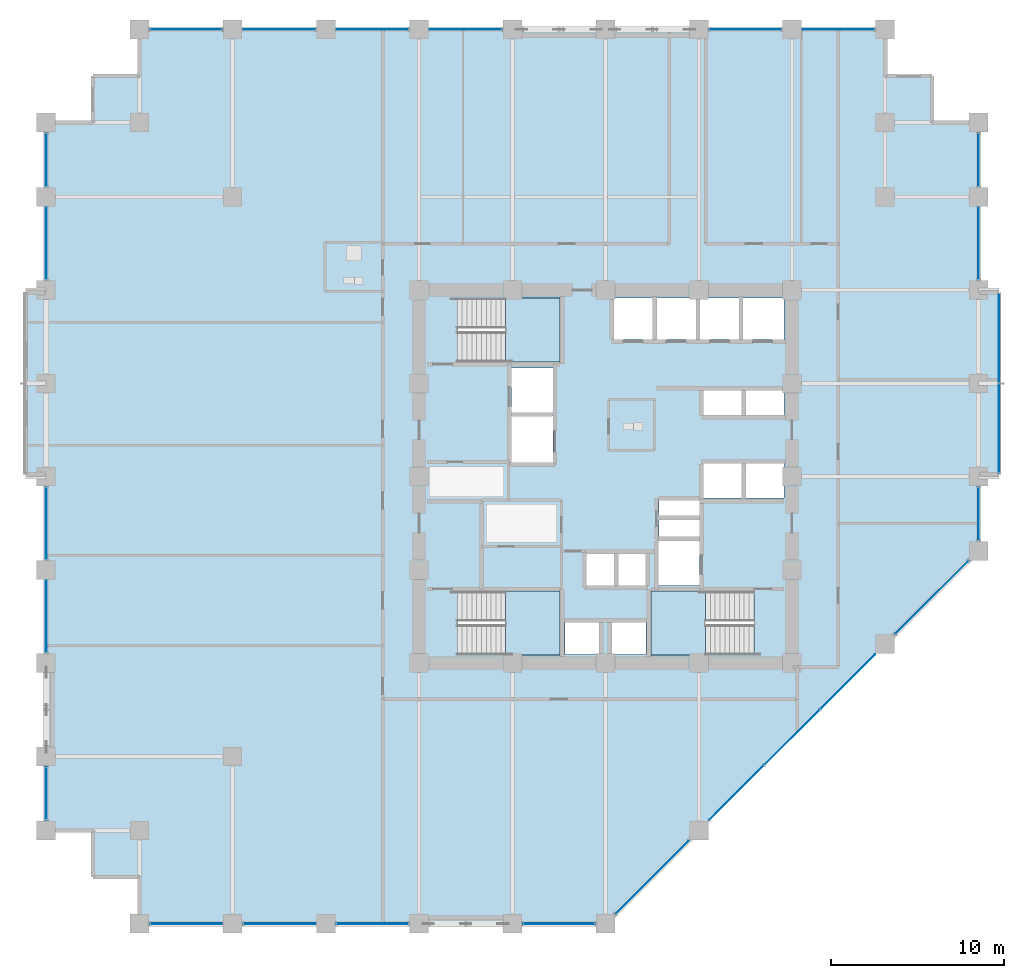
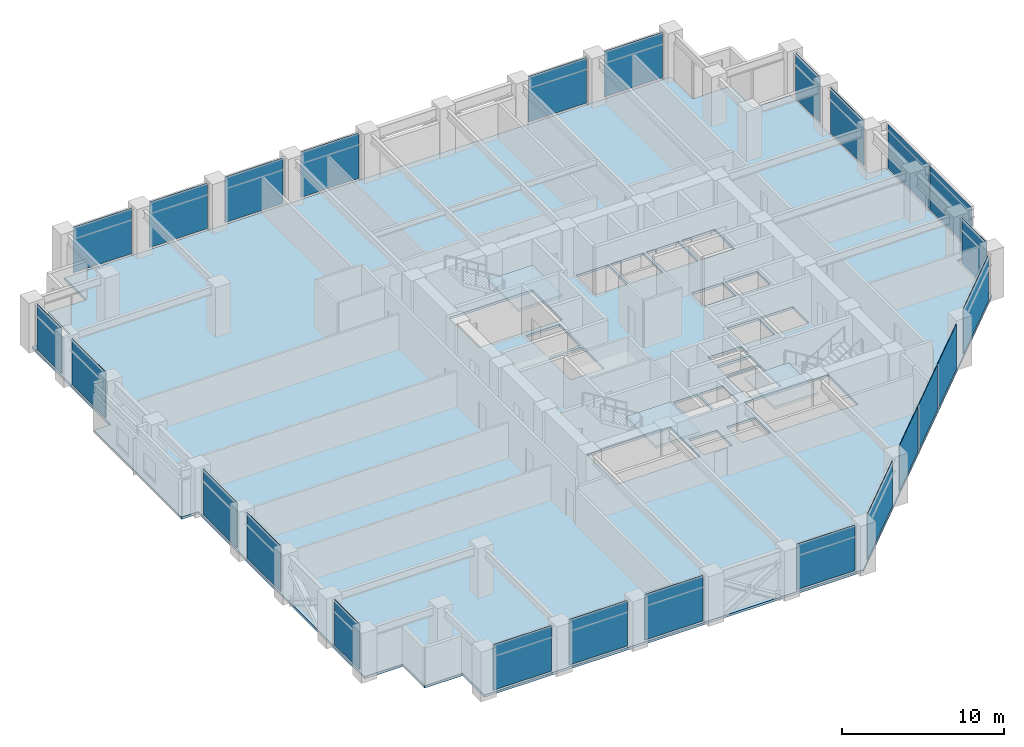
# One storey, part 19 of 26: 25 plates, 4 slabs, 14 elements without a shape of their own.
"""IFC4 building model written with IfcOpenShell, lengths in metres."""

from ifc_helpers import new_model, si_unit, direction, frame, frame_2d, origin, place, context, subcontext, project, spatial, polyline, rectangle, outline, extrude, material, layer, layer_set, type_object, element, aggregate, save


model = new_model("IFC4")

# Units and contexts
model_context = context("Model", 3, precision=1e-05, world=origin(), true_north=direction((0.0, 1.0)))
body_context = subcontext(model_context, "Body", "Model", "MODEL_VIEW")
ifc_project = project(units=[si_unit("LENGTHUNIT", "METRE"), si_unit("AREAUNIT", "SQUARE_METRE"), si_unit("VOLUMEUNIT", "CUBIC_METRE"), si_unit("PLANEANGLEUNIT", "RADIAN"), si_unit("MASSUNIT", "GRAM", prefix="KILO")], contexts=[model_context])

# Site, building, storey
site_placement = place(None, origin())
site = spatial("IfcSite", under=ifc_project, at=site_placement, CompositionType="ELEMENT")
building_placement = place(site_placement, origin())
building = spatial("IfcBuilding", under=site, at=building_placement, Name="Surkhivell Harbour Commons", CompositionType="ELEMENT")
storey_placement = place(building_placement, frame((0.0, 0.0, 102.0)))
storey = spatial("IfcBuildingStorey", under=building, at=storey_placement, Name="L26", CompositionType="ELEMENT", Elevation=102.0)

# Curtain wall, plates
ifc_material_1 = material(Name="Anodised pale-metal aluminium and insulated glazing", Category="aluminium")
ifc_layer_1 = layer(ifc_material_1, 0.1650390625)
ifc_layer_set_1 = layer_set([ifc_layer_1], Name="Anodised pale-metal aluminium and insulated glazing")
curtain_wall_type_1 = type_object("IfcCurtainWallType", Name="CW-SYS-BOX", PredefinedType="NOTDEFINED", material=ifc_layer_set_1)
curtain_wall_1_placement = place(storey_placement, origin())
curtain_wall_1 = element("IfcCurtainWall", 1, at=curtain_wall_1_placement, inside=storey, type_object=curtain_wall_type_1, Name="L26 Curtain Wall CW-L26-BOX01", PredefinedType="NOTDEFINED")
ifc_material_2 = material(Name="Triple-glazed bay-cluster vision glass", Category="glass")
ifc_layer_2 = layer(ifc_material_2, 0.028076171875)
ifc_layer_set_2 = layer_set([ifc_layer_2], Name="Triple-glazed bay-cluster vision glass")
plate_type_1 = type_object("IfcPlateType", Name="CWP-GLZ-28", PredefinedType="CURTAIN_PANEL", material=ifc_layer_set_2)
plate_1_placement = place(storey_placement, frame((22.800048828125, 0.219970703125, 0.1298828125), z_axis=(0.0, 0.0, 1.0), x_axis=(0.0, 1.0, 0.0)))
plate_1 = element("IfcPlate", 2, at=plate_1_placement, type_object=plate_type_1, Name="CW-BOX panel 1.1", PredefinedType="CURTAIN_PANEL", context=body_context, shape_type="SweptSolid", body=[
    extrude(rectangle(XDim=5.14501953125, YDim=0.028076171875, at=frame_2d((2.572509765625, 0.0))), origin(), (0.0, 0.0, 1.0), 3.31005859375),
])
plate_2_placement = place(storey_placement, frame((22.800048828125, 5.43505859375, 0.1298828125), z_axis=(0.0, 0.0, 1.0), x_axis=(0.0, 1.0, 0.0)))
plate_2 = element("IfcPlate", 3, at=plate_2_placement, type_object=plate_type_1, Name="CW-BOX panel 2.1", PredefinedType="CURTAIN_PANEL", context=body_context, shape_type="SweptSolid", body=[
    extrude(rectangle(XDim=5.14501953125, YDim=0.028076171875, at=frame_2d((2.572509765625, 0.0))), origin(), (0.0, 0.0, 1.0), 3.31005859375),
])
aggregate(curtain_wall_1, [plate_1, plate_2])

ifc_layer_3 = layer(ifc_material_1, 0.205078125)
ifc_layer_set_3 = layer_set([ifc_layer_3], Name="Anodised pale-metal aluminium and insulated glazing")
curtain_wall_type_2 = type_object("IfcCurtainWallType", Name="CW-SYS-Z2", PredefinedType="NOTDEFINED", material=ifc_layer_set_3)
curtain_wall_2_placement = place(storey_placement, origin())
curtain_wall_2 = element("IfcCurtainWall", 4, at=curtain_wall_2_placement, inside=storey, type_object=curtain_wall_type_2, Name="L26 Curtain Wall CW-L26-E00S1", PredefinedType="NOTDEFINED")
ifc_material_3 = material(Name="High-pressure typhoon laminated vision glass", Category="glass")
ifc_layer_4 = layer(ifc_material_3, 0.035888671875)
ifc_layer_set_4 = layer_set([ifc_layer_4], Name="High-pressure typhoon laminated vision glass")
plate_type_2 = type_object("IfcPlateType", Name="CWP-GLZ-36", PredefinedType="CURTAIN_PANEL", material=ifc_layer_set_4)
plate_3_placement = place(storey_placement, frame((-26.373046875, -25.89990234375, 0.14990234375), z_axis=(0.0, 0.0, 1.0), x_axis=(1.0, 0.0, 0.0)))
plate_3 = element("IfcPlate", 5, at=plate_3_placement, type_object=plate_type_2, Name="CW-Z2 panel 1.1", PredefinedType="CURTAIN_PANEL", context=body_context, shape_type="SweptSolid", body=[
    extrude(rectangle(XDim=4.14599609375, YDim=0.035888671875, at=frame_2d((2.072998046875, 0.0))), origin(), (0.0, 0.0, 1.0), 3.420166015625),
])
plate_4_placement = place(storey_placement, frame((-20.972900390625, -25.89990234375, 0.14990234375), z_axis=(0.0, 0.0, 1.0), x_axis=(1.0, 0.0, 0.0)))
plate_4 = element("IfcPlate", 6, at=plate_4_placement, type_object=plate_type_2, Name="CW-Z2 panel 2.1", PredefinedType="CURTAIN_PANEL", context=body_context, shape_type="SweptSolid", body=[
    extrude(rectangle(XDim=4.14599609375, YDim=0.035888671875, at=frame_2d((2.072998046875, 0.0))), origin(), (0.0, 0.0, 1.0), 3.420166015625),
])
plate_5_placement = place(storey_placement, frame((-15.572998046875, -25.89990234375, 0.14990234375), z_axis=(0.0, 0.0, 1.0), x_axis=(1.0, 0.0, 0.0)))
plate_5 = element("IfcPlate", 7, at=plate_5_placement, type_object=plate_type_2, Name="CW-Z2 panel 3.1", PredefinedType="CURTAIN_PANEL", context=body_context, shape_type="SweptSolid", body=[
    extrude(rectangle(XDim=4.14599609375, YDim=0.035888671875, at=frame_2d((2.072998046875, 0.0))), origin(), (0.0, 0.0, 1.0), 3.420166015625),
])
aggregate(curtain_wall_2, [plate_3, plate_4, plate_5])

# Curtain wall, plate
curtain_wall_3_placement = place(storey_placement, origin())
curtain_wall_3 = element("IfcCurtainWall", 8, at=curtain_wall_3_placement, inside=storey, type_object=curtain_wall_type_2, Name="L26 Curtain Wall CW-L26-E00S2", PredefinedType="NOTDEFINED")
plate_6_placement = place(storey_placement, frame((-4.77294921875, -25.89990234375, 0.14990234375), z_axis=(0.0, 0.0, 1.0), x_axis=(1.0, 0.0, 0.0)))
plate_6 = element("IfcPlate", 9, at=plate_6_placement, type_object=plate_type_2, Name="CW-Z2 panel 1.1", PredefinedType="CURTAIN_PANEL", context=body_context, shape_type="SweptSolid", body=[
    extrude(rectangle(XDim=4.14599609375, YDim=0.035888671875, at=frame_2d((2.072998046875, 0.0))), origin(), (0.0, 0.0, 1.0), 3.420166015625),
])
aggregate(curtain_wall_3, [plate_6])

# Curtain wall, plates
curtain_wall_4_placement = place(storey_placement, origin())
curtain_wall_4 = element("IfcCurtainWall", 10, at=curtain_wall_4_placement, inside=storey, type_object=curtain_wall_type_2, Name="L26 Curtain Wall CW-L26-E01", PredefinedType="NOTDEFINED")
plate_7_placement = place(storey_placement, frame((0.604736328125, -25.295166015625, 0.14990234375), z_axis=(0.0, 0.0, 1.0), x_axis=(0.707106781187, 0.707106781187, 0.0)))
plate_7 = element("IfcPlate", 11, at=plate_7_placement, type_object=plate_type_2, Name="CW-Z2 panel 1.1", PredefinedType="CURTAIN_PANEL", context=body_context, shape_type="SweptSolid", body=[
    extrude(rectangle(XDim=5.92626953125, YDim=0.035888671875, at=frame_2d((2.963134765625, 0.0))), origin(), (0.0, 0.0, 1.0), 3.420166015625),
])
plate_8_placement = place(storey_placement, frame((6.004638671875, -19.895263671875, 0.14990234375), z_axis=(0.0, 0.0, 1.0), x_axis=(0.707134159244, 0.707079402069, 0.0)))
plate_8 = element("IfcPlate", 12, at=plate_8_placement, type_object=plate_type_2, Name="CW-Z2 panel 2.1", PredefinedType="CURTAIN_PANEL", context=body_context, shape_type="SweptSolid", body=[
    extrude(rectangle(XDim=4.45849609375, YDim=0.035888671875, at=frame_2d((2.229248046875, 0.0))), origin(), (0.0, 0.0, 1.0), 3.420166015625),
])
plate_9_placement = place(storey_placement, frame((9.21044921875, -16.689697265625, 0.14990234375), z_axis=(0.0, 0.0, 1.0), x_axis=(0.707106781187, 0.707106781187, 0.0)))
plate_9 = element("IfcPlate", 13, at=plate_9_placement, type_object=plate_type_2, Name="CW-Z2 panel 3.1", PredefinedType="CURTAIN_PANEL", context=body_context, shape_type="SweptSolid", body=[
    extrude(rectangle(XDim=4.49609375, YDim=0.035888671875, at=frame_2d((2.248046875, 0.0))), origin(), (0.0, 0.0, 1.0), 3.420166015625),
])
plate_10_placement = place(storey_placement, frame((12.442626953125, -13.457275390625, 0.14990234375), z_axis=(0.0, 0.0, 1.0), x_axis=(0.707106781187, 0.707106781187, 0.0)))
plate_10 = element("IfcPlate", 14, at=plate_10_placement, type_object=plate_type_2, Name="CW-Z2 panel 4.1", PredefinedType="CURTAIN_PANEL", context=body_context, shape_type="SweptSolid", body=[
    extrude(rectangle(XDim=4.45849609375, YDim=0.035888671875, at=frame_2d((2.229248046875, 0.0))), origin(), (0.0, 0.0, 1.0), 3.420166015625),
])
plate_11_placement = place(storey_placement, frame((16.8046875, -9.09521484375, 0.14990234375), z_axis=(0.0, 0.0, 1.0), x_axis=(0.707127378829, 0.707086182944, 0.0)))
plate_11 = element("IfcPlate", 15, at=plate_11_placement, type_object=plate_type_2, Name="CW-Z2 panel 5.1", PredefinedType="CURTAIN_PANEL", context=body_context, shape_type="SweptSolid", body=[
    extrude(rectangle(XDim=5.92626953125, YDim=0.035888671875, at=frame_2d((2.963134765625, 0.0))), origin(), (0.0, 0.0, 1.0), 3.420166015625),
])
aggregate(curtain_wall_4, [plate_7, plate_8, plate_9, plate_10, plate_11])

# Curtain wall, plate
curtain_wall_5_placement = place(storey_placement, origin())
curtain_wall_5 = element("IfcCurtainWall", 16, at=curtain_wall_5_placement, inside=storey, type_object=curtain_wall_type_2, Name="L26 Curtain Wall CW-L26-E02R1", PredefinedType="NOTDEFINED")
plate_12_placement = place(storey_placement, frame((21.60009765625, -3.673095703125, 0.14990234375), z_axis=(0.0, 0.0, 1.0), x_axis=(0.0, 1.0, 0.0)))
plate_12 = element("IfcPlate", 17, at=plate_12_placement, type_object=plate_type_2, Name="CW-Z2 panel 1.1", PredefinedType="CURTAIN_PANEL", context=body_context, shape_type="SweptSolid", body=[
    extrude(rectangle(XDim=3.046142578125, YDim=0.035888671875, at=frame_2d((1.52294921875, 0.0))), origin(), (0.0, 0.0, 1.0), 3.420166015625),
])
aggregate(curtain_wall_5, [plate_12])

# Curtain wall, plates
curtain_wall_6_placement = place(storey_placement, origin())
curtain_wall_6 = element("IfcCurtainWall", 18, at=curtain_wall_6_placement, inside=storey, type_object=curtain_wall_type_2, Name="L26 Curtain Wall CW-L26-E02R2", PredefinedType="NOTDEFINED")
plate_13_placement = place(storey_placement, frame((21.60009765625, 11.427001953125, 0.14990234375), z_axis=(0.0, 0.0, 1.0), x_axis=(0.0, 1.0, 0.0)))
plate_13 = element("IfcPlate", 19, at=plate_13_placement, type_object=plate_type_2, Name="CW-Z2 panel 1.1", PredefinedType="CURTAIN_PANEL", context=body_context, shape_type="SweptSolid", body=[
    extrude(rectangle(XDim=4.14599609375, YDim=0.035888671875, at=frame_2d((2.072998046875, 0.0))), origin(), (0.0, 0.0, 1.0), 3.420166015625),
])
plate_14_placement = place(storey_placement, frame((21.60009765625, 16.826904296875, 0.14990234375), z_axis=(0.0, 0.0, 1.0), x_axis=(0.0, 1.0, 0.0)))
plate_14 = element("IfcPlate", 20, at=plate_14_placement, type_object=plate_type_2, Name="CW-Z2 panel 2.1", PredefinedType="CURTAIN_PANEL", context=body_context, shape_type="SweptSolid", body=[
    extrude(rectangle(XDim=3.046142578125, YDim=0.035888671875, at=frame_2d((1.52294921875, 0.0))), origin(), (0.0, 0.0, 1.0), 3.420166015625),
])
aggregate(curtain_wall_6, [plate_13, plate_14])

curtain_wall_7_placement = place(storey_placement, origin())
curtain_wall_7 = element("IfcCurtainWall", 21, at=curtain_wall_7_placement, inside=storey, type_object=curtain_wall_type_2, Name="L26 Curtain Wall CW-L26-E07S1", PredefinedType="NOTDEFINED")
plate_15_placement = place(storey_placement, frame((15.572998046875, 25.89990234375, 0.14990234375), z_axis=(0.0, 0.0, 1.0), x_axis=(-1.0, 0.0, 0.0)))
plate_15 = element("IfcPlate", 22, at=plate_15_placement, type_object=plate_type_2, Name="CW-Z2 panel 1.1", PredefinedType="CURTAIN_PANEL", context=body_context, shape_type="SweptSolid", body=[
    extrude(rectangle(XDim=4.14599609375, YDim=0.035888671875, at=frame_2d((2.072998046875, 0.0))), origin(), (0.0, 0.0, 1.0), 3.420166015625),
])
plate_16_placement = place(storey_placement, frame((10.173095703125, 25.89990234375, 0.14990234375), z_axis=(0.0, 0.0, 1.0), x_axis=(-1.0, 0.0, 0.0)))
plate_16 = element("IfcPlate", 23, at=plate_16_placement, type_object=plate_type_2, Name="CW-Z2 panel 2.1", PredefinedType="CURTAIN_PANEL", context=body_context, shape_type="SweptSolid", body=[
    extrude(rectangle(XDim=4.14599609375, YDim=0.035888671875, at=frame_2d((2.072998046875, 0.0))), origin(), (0.0, 0.0, 1.0), 3.420166015625),
])
aggregate(curtain_wall_7, [plate_15, plate_16])

curtain_wall_8_placement = place(storey_placement, origin())
curtain_wall_8 = element("IfcCurtainWall", 24, at=curtain_wall_8_placement, inside=storey, type_object=curtain_wall_type_2, Name="L26 Curtain Wall CW-L26-E07S2", PredefinedType="NOTDEFINED")
plate_17_placement = place(storey_placement, frame((-6.027099609375, 25.89990234375, 0.14990234375), z_axis=(0.0, 0.0, 1.0), x_axis=(-1.0, 0.0, 0.0)))
plate_17 = element("IfcPlate", 25, at=plate_17_placement, type_object=plate_type_2, Name="CW-Z2 panel 1.1", PredefinedType="CURTAIN_PANEL", context=body_context, shape_type="SweptSolid", body=[
    extrude(rectangle(XDim=4.14599609375, YDim=0.035888671875, at=frame_2d((2.072998046875, 0.0))), origin(), (0.0, 0.0, 1.0), 3.420166015625),
])
plate_18_placement = place(storey_placement, frame((-11.427001953125, 25.89990234375, 0.14990234375), z_axis=(0.0, 0.0, 1.0), x_axis=(-1.0, 0.0, 0.0)))
plate_18 = element("IfcPlate", 26, at=plate_18_placement, type_object=plate_type_2, Name="CW-Z2 panel 2.1", PredefinedType="CURTAIN_PANEL", context=body_context, shape_type="SweptSolid", body=[
    extrude(rectangle(XDim=4.14599609375, YDim=0.035888671875, at=frame_2d((2.072998046875, 0.0))), origin(), (0.0, 0.0, 1.0), 3.420166015625),
])
plate_19_placement = place(storey_placement, frame((-16.826904296875, 25.89990234375, 0.14990234375), z_axis=(0.0, 0.0, 1.0), x_axis=(-1.0, 0.0, 0.0)))
plate_19 = element("IfcPlate", 27, at=plate_19_placement, type_object=plate_type_2, Name="CW-Z2 panel 3.1", PredefinedType="CURTAIN_PANEL", context=body_context, shape_type="SweptSolid", body=[
    extrude(rectangle(XDim=4.14599609375, YDim=0.035888671875, at=frame_2d((2.072998046875, 0.0))), origin(), (0.0, 0.0, 1.0), 3.420166015625),
])
plate_20_placement = place(storey_placement, frame((-22.22705078125, 25.89990234375, 0.14990234375), z_axis=(0.0, 0.0, 1.0), x_axis=(-1.0, 0.0, 0.0)))
plate_20 = element("IfcPlate", 28, at=plate_20_placement, type_object=plate_type_2, Name="CW-Z2 panel 4.1", PredefinedType="CURTAIN_PANEL", context=body_context, shape_type="SweptSolid", body=[
    extrude(rectangle(XDim=4.14599609375, YDim=0.035888671875, at=frame_2d((2.072998046875, 0.0))), origin(), (0.0, 0.0, 1.0), 3.420166015625),
])
aggregate(curtain_wall_8, [plate_17, plate_18, plate_19, plate_20])

# Curtain wall, plate
curtain_wall_9_placement = place(storey_placement, origin())
curtain_wall_9 = element("IfcCurtainWall", 29, at=curtain_wall_9_placement, inside=storey, type_object=curtain_wall_type_2, Name="L26 Curtain Wall CW-L26-E12R1S1", PredefinedType="NOTDEFINED")
plate_21_placement = place(storey_placement, frame((-32.39990234375, -19.873046875, 0.14990234375), z_axis=(0.0, 0.0, 1.0), x_axis=(0.0, 1.0, 0.0)))
plate_21 = element("IfcPlate", 30, at=plate_21_placement, type_object=plate_type_2, Name="CW-Z2 panel 1.1", PredefinedType="CURTAIN_PANEL", context=body_context, shape_type="SweptSolid", body=[
    extrude(rectangle(XDim=3.046142578125, YDim=0.035888671875, at=frame_2d((1.52294921875, 0.0))), origin(), (0.0, 0.0, 1.0), 3.420166015625),
])
aggregate(curtain_wall_9, [plate_21])

# Curtain wall, plates
curtain_wall_10_placement = place(storey_placement, origin())
curtain_wall_10 = element("IfcCurtainWall", 31, at=curtain_wall_10_placement, inside=storey, type_object=curtain_wall_type_2, Name="L26 Curtain Wall CW-L26-E12R1S2", PredefinedType="NOTDEFINED")
plate_22_placement = place(storey_placement, frame((-32.39990234375, -10.173095703125, 0.14990234375), z_axis=(0.0, 0.0, 1.0), x_axis=(0.0, 1.0, 0.0)))
plate_22 = element("IfcPlate", 32, at=plate_22_placement, type_object=plate_type_2, Name="CW-Z2 panel 1.1", PredefinedType="CURTAIN_PANEL", context=body_context, shape_type="SweptSolid", body=[
    extrude(rectangle(XDim=4.14599609375, YDim=0.035888671875, at=frame_2d((2.072998046875, 0.0))), origin(), (0.0, 0.0, 1.0), 3.420166015625),
])
plate_23_placement = place(storey_placement, frame((-32.39990234375, -4.77294921875, 0.14990234375), z_axis=(0.0, 0.0, 1.0), x_axis=(0.0, 1.0, 0.0)))
plate_23 = element("IfcPlate", 33, at=plate_23_placement, type_object=plate_type_2, Name="CW-Z2 panel 2.1", PredefinedType="CURTAIN_PANEL", context=body_context, shape_type="SweptSolid", body=[
    extrude(rectangle(XDim=4.14599609375, YDim=0.035888671875, at=frame_2d((2.072998046875, 0.0))), origin(), (0.0, 0.0, 1.0), 3.420166015625),
])
aggregate(curtain_wall_10, [plate_22, plate_23])

curtain_wall_11_placement = place(storey_placement, origin())
curtain_wall_11 = element("IfcCurtainWall", 34, at=curtain_wall_11_placement, inside=storey, type_object=curtain_wall_type_2, Name="L26 Curtain Wall CW-L26-E12R2", PredefinedType="NOTDEFINED")
plate_24_placement = place(storey_placement, frame((-32.39990234375, 11.427001953125, 0.14990234375), z_axis=(0.0, 0.0, 1.0), x_axis=(0.0, 1.0, 0.0)))
plate_24 = element("IfcPlate", 35, at=plate_24_placement, type_object=plate_type_2, Name="CW-Z2 panel 1.1", PredefinedType="CURTAIN_PANEL", context=body_context, shape_type="SweptSolid", body=[
    extrude(rectangle(XDim=4.14599609375, YDim=0.035888671875, at=frame_2d((2.072998046875, 0.0))), origin(), (0.0, 0.0, 1.0), 3.420166015625),
])
plate_25_placement = place(storey_placement, frame((-32.39990234375, 16.826904296875, 0.14990234375), z_axis=(0.0, 0.0, 1.0), x_axis=(0.0, 1.0, 0.0)))
plate_25 = element("IfcPlate", 36, at=plate_25_placement, type_object=plate_type_2, Name="CW-Z2 panel 2.1", PredefinedType="CURTAIN_PANEL", context=body_context, shape_type="SweptSolid", body=[
    extrude(rectangle(XDim=3.046142578125, YDim=0.035888671875, at=frame_2d((1.52294921875, 0.0))), origin(), (0.0, 0.0, 1.0), 3.420166015625),
])
aggregate(curtain_wall_11, [plate_24, plate_25])

# Stair, slab
ifc_material_4 = material(Name="Precast concrete C45/55", Category="concrete")
stair_type = type_object("IfcStairType", Name="STR-DL-375", PredefinedType="HALF_TURN_STAIR", material=ifc_material_4)
stair_1_placement = place(storey_placement, origin())
stair_1 = element("IfcStair", 37, at=stair_1_placement, inside=storey, type_object=stair_type, Name="L26 Core Exit Stair ST1", PredefinedType="HALF_TURN_STAIR")
ifc_material_5 = material(Name="Reinforced concrete C45/55", Category="concrete")
ifc_layer_5 = layer(ifc_material_5, 0.199951171875)
ifc_layer_set_5 = layer_set([ifc_layer_5], Name="Reinforced concrete C45/55")
slab_type_1 = type_object("IfcSlabType", Name="SLB-ST-LND200", PredefinedType="LANDING", material=ifc_layer_set_5)
slab_1_placement = place(storey_placement, frame((0.0, 0.0, 1.675048828125)))
slab_1 = element("IfcSlab", 38, at=slab_1_placement, type_object=slab_type_1, Name="ST1 landing 1", PredefinedType="LANDING", context=body_context, shape_type="SweptSolid", body=[
    extrude(outline(polyline([(-5.7900390625, 6.639892578125), (-2.639892578125, 6.639892578125), (-2.639892578125, 10.340087890625), (-5.7900390625, 10.340087890625), (-5.7900390625, 6.639892578125)])), origin(), (0.0, 0.0, 1.0), 0.199951171875),
])
aggregate(stair_1, [slab_1])

stair_2_placement = place(storey_placement, origin())
stair_2 = element("IfcStair", 39, at=stair_2_placement, inside=storey, type_object=stair_type, Name="L26 Core Exit Stair ST2", PredefinedType="HALF_TURN_STAIR")
slab_2_placement = place(storey_placement, frame((0.0, 0.0, 1.675048828125)))
slab_2 = element("IfcSlab", 40, at=slab_2_placement, type_object=slab_type_1, Name="ST2 landing 1", PredefinedType="LANDING", context=body_context, shape_type="SweptSolid", body=[
    extrude(outline(polyline([(5.7900390625, -6.639892578125), (2.639892578125, -6.639892578125), (2.639892578125, -10.340087890625), (5.7900390625, -10.340087890625), (5.7900390625, -6.639892578125)])), origin(), (0.0, 0.0, 1.0), 0.199951171875),
])
aggregate(stair_2, [slab_2])

stair_3_placement = place(storey_placement, origin())
stair_3 = element("IfcStair", 41, at=stair_3_placement, inside=storey, type_object=stair_type, Name="L26 Core Exit Stair ST3", PredefinedType="HALF_TURN_STAIR")
slab_3_placement = place(storey_placement, frame((0.0, 0.0, 1.675048828125)))
slab_3 = element("IfcSlab", 42, at=slab_3_placement, type_object=slab_type_1, Name="ST3 landing 1", PredefinedType="LANDING", context=body_context, shape_type="SweptSolid", body=[
    extrude(outline(polyline([(-5.7900390625, -10.340087890625), (-2.639892578125, -10.340087890625), (-2.639892578125, -6.639892578125), (-5.7900390625, -6.639892578125), (-5.7900390625, -10.340087890625)])), origin(), (0.0, 0.0, 1.0), 0.199951171875),
])
aggregate(stair_3, [slab_3])

# Slab
ifc_material_6 = material(Name="Concrete C45/55", Category="concrete")
ifc_layer_6 = layer(ifc_material_6, 0.179931640625)
ifc_layer_set_6 = layer_set([ifc_layer_6], Name="Concrete C45/55")
slab_type_2 = type_object("IfcSlabType", Name="SLB-TYP-180", PredefinedType="FLOOR", material=ifc_layer_set_6)
slab_4_placement = place(storey_placement, frame((0.0, 0.0, -0.179931640625)))
element("IfcSlab", 43, at=slab_4_placement, inside=storey, type_object=slab_type_2, Name="L26 Structural Floor Slab", PredefinedType="FLOOR", context=body_context, shape_type="SweptSolid", body=[
    extrude(outline(polyline([(-32.39990234375, 20.5), (-32.39990234375, 10.800048828125), (-33.60009765625, 10.800048828125), (-33.60009765625, 0.0), (-32.39990234375, 0.0), (-32.39990234375, -20.5), (-29.699951171875, -20.5), (-29.699951171875, -23.199951171875), (-27.0, -23.199951171875), (-27.0, -25.89990234375), (0.0, -25.89990234375), (21.60009765625, -4.300048828125), (21.60009765625, 0.0), (22.800048828125, 0.0), (22.800048828125, 10.800048828125), (21.60009765625, 10.800048828125), (21.60009765625, 20.5), (18.89990234375, 20.5), (18.89990234375, 23.199951171875), (16.199951171875, 23.199951171875), (16.199951171875, 25.89990234375), (-27.0, 25.89990234375), (-27.0, 23.199951171875), (-29.699951171875, 23.199951171875), (-29.699951171875, 20.5), (-32.39990234375, 20.5)]), holes=[polyline([(-8.590087890625, 6.639892578125), (-2.639892578125, 6.639892578125), (-2.639892578125, 10.340087890625), (-8.590087890625, 10.340087890625), (-8.590087890625, 6.639892578125)]), polyline([(8.590087890625, -6.639892578125), (2.639892578125, -6.639892578125), (2.639892578125, -10.340087890625), (8.590087890625, -10.340087890625), (8.590087890625, -6.639892578125)]), polyline([(-8.590087890625, -10.340087890625), (-2.639892578125, -10.340087890625), (-2.639892578125, -6.639892578125), (-8.590087890625, -6.639892578125), (-8.590087890625, -10.340087890625)]), polyline([(0.449951171875, 7.949951171875), (2.75, 7.949951171875), (2.75, 10.35009765625), (0.449951171875, 10.35009765625), (0.449951171875, 7.949951171875)]), polyline([(2.949951171875, 7.949951171875), (5.25, 7.949951171875), (5.25, 10.35009765625), (2.949951171875, 10.35009765625), (2.949951171875, 7.949951171875)]), polyline([(5.449951171875, 7.949951171875), (7.75, 7.949951171875), (7.75, 10.35009765625), (5.449951171875, 10.35009765625), (5.449951171875, 7.949951171875)]), polyline([(7.949951171875, 7.949951171875), (10.35009765625, 7.949951171875), (10.35009765625, 10.35009765625), (7.949951171875, 10.35009765625), (7.949951171875, 7.949951171875)]), polyline([(5.64990234375, 3.550048828125), (7.89990234375, 3.550048828125), (7.89990234375, 5.14990234375), (5.64990234375, 5.14990234375), (5.64990234375, 3.550048828125)]), polyline([(8.10009765625, 3.550048828125), (10.35009765625, 3.550048828125), (10.35009765625, 5.14990234375), (8.10009765625, 5.14990234375), (8.10009765625, 3.550048828125)]), polyline([(5.64990234375, -1.25), (7.89990234375, -1.25), (7.89990234375, 0.75), (5.64990234375, 0.75), (5.64990234375, -1.25)]), polyline([(8.10009765625, -1.25), (10.35009765625, -1.25), (10.35009765625, 0.75), (8.10009765625, 0.75), (8.10009765625, -1.25)]), polyline([(-1.14990234375, -6.35009765625), (0.550048828125, -6.35009765625), (0.550048828125, -4.449951171875), (-1.14990234375, -4.449951171875), (-1.14990234375, -6.35009765625)]), polyline([(0.679931640625, -6.35009765625), (2.3798828125, -6.35009765625), (2.3798828125, -4.449951171875), (0.679931640625, -4.449951171875), (0.679931640625, -6.35009765625)]), polyline([(-2.35009765625, -10.300048828125), (-0.35009765625, -10.300048828125), (-0.35009765625, -8.39990234375), (-2.35009765625, -8.39990234375), (-2.35009765625, -10.300048828125)]), polyline([(0.35009765625, -10.300048828125), (2.35009765625, -10.300048828125), (2.35009765625, -8.39990234375), (0.35009765625, -8.39990234375), (0.35009765625, -10.300048828125)]), polyline([(-5.449951171875, 3.699951171875), (-3.050048828125, 3.699951171875), (-3.050048828125, 6.300048828125), (-5.449951171875, 6.300048828125), (-5.449951171875, 3.699951171875)]), polyline([(3.050048828125, -6.300048828125), (5.449951171875, -6.300048828125), (5.449951171875, -3.699951171875), (3.050048828125, -3.699951171875), (3.050048828125, -6.300048828125)]), polyline([(-5.449951171875, 0.800048828125), (-3.050048828125, 0.800048828125), (-3.050048828125, 3.5), (-5.449951171875, 3.5), (-5.449951171875, 0.800048828125)]), polyline([(3.10009765625, -3.550048828125), (5.449951171875, -3.550048828125), (5.449951171875, -2.47998046875), (3.10009765625, -2.47998046875), (3.10009765625, -3.550048828125)]), polyline([(3.10009765625, -2.280029296875), (5.449951171875, -2.280029296875), (5.449951171875, -1.35009765625), (3.10009765625, -1.35009765625), (3.10009765625, -2.280029296875)])]), origin(), (0.0, 0.0, 1.0), 0.179931640625),
])

save(model, "model.ifc")
